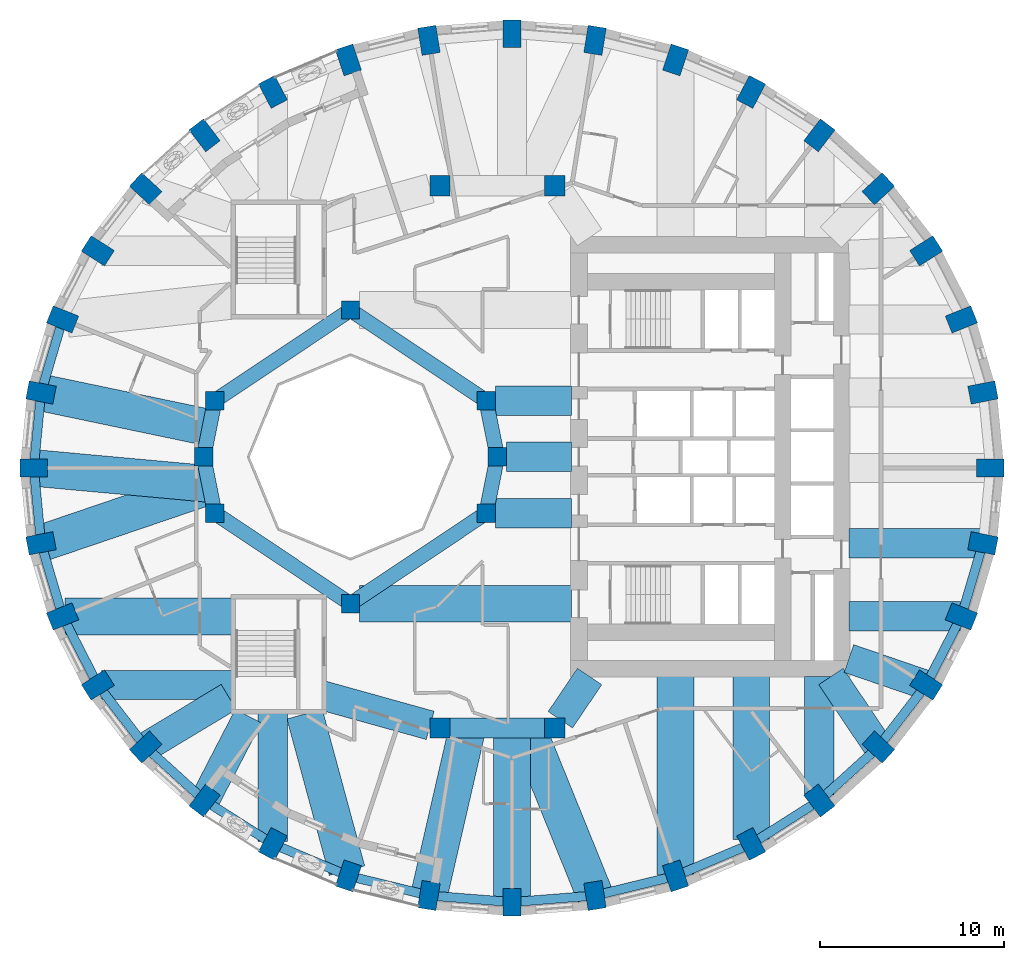
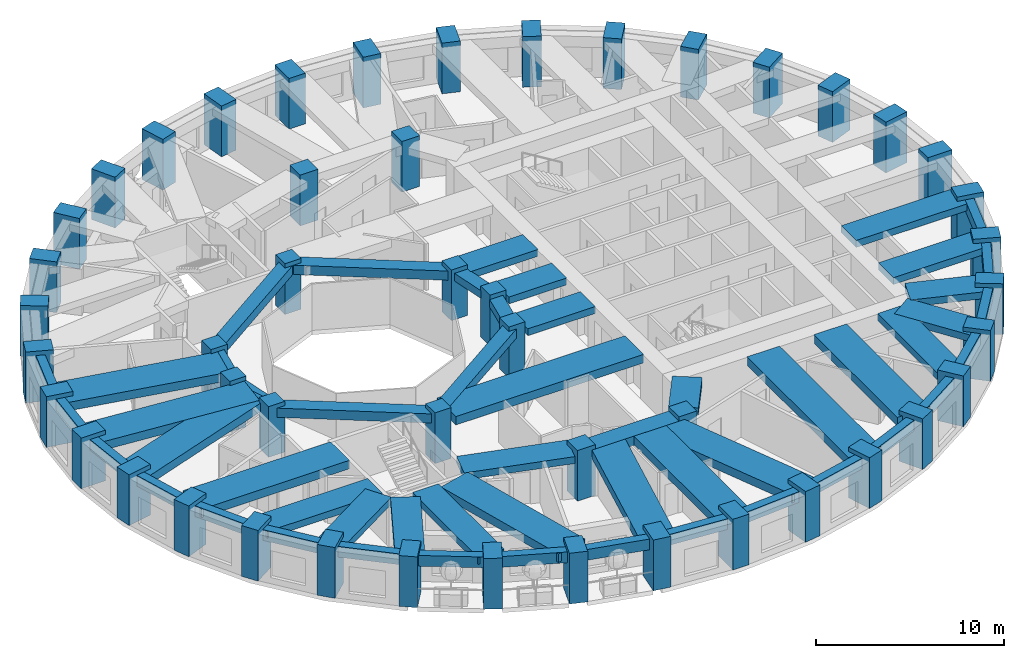
# One storey, part 1 of 12: 53 beams, 48 columns.
"""IFC4 building model written with IfcOpenShell, lengths in metres."""

from ifc_helpers import new_model, si_unit, direction, frame, origin, origin_2d, place, context, subcontext, project, spatial, rectangle, extrude, material, material_profile, profile_set, type_object, element, save


model = new_model("IFC4")

# Units and contexts
model_context = context("Model", 3, precision=1e-05, world=origin(), true_north=direction((0.0, 1.0)))
body_context = subcontext(model_context, "Body", "Model", "MODEL_VIEW")
ifc_project = project(units=[si_unit("LENGTHUNIT", "METRE"), si_unit("AREAUNIT", "SQUARE_METRE"), si_unit("VOLUMEUNIT", "CUBIC_METRE"), si_unit("PLANEANGLEUNIT", "RADIAN"), si_unit("MASSUNIT", "GRAM", prefix="KILO")], contexts=[model_context])

# Site, building, storey
site_placement = place(None, origin())
site = spatial("IfcSite", under=ifc_project, at=site_placement, CompositionType="ELEMENT")
building_placement = place(site_placement, origin())
building = spatial("IfcBuilding", under=site, at=building_placement, Name="Taillehof Tower", CompositionType="ELEMENT")
storey_placement = place(building_placement, frame((0.0, 0.0, 121.89990234375)))
storey = spatial("IfcBuildingStorey", under=building, at=storey_placement, Name="L34", CompositionType="ELEMENT", Elevation=121.89990234375)

# Columns
ifc_material_1 = material(Name="Concrete C50/60", Category="concrete")
ifc_material_profile_1 = material_profile(ifc_material_1, rectangle(XDim=1.0, YDim=1.0, at=origin_2d()), Name="RC 1000x1000")
ifc_profile_set_1 = profile_set([ifc_material_profile_1], Name="Concrete C50/60")
column_type_1 = type_object("IfcColumnType", Name="Atrium ring column C50/60 1000x1000", PredefinedType="COLUMN", material=ifc_profile_set_1)
for number, where, z_axis, x_axis, name in (
    (1, (0.0, 0.0, 0.0), (0.0, 0.0, 1.0), (1.0, 0.0, 0.0), "Column AC01"),
    (2, (-0.60888671875, 3.0615234375, 0.0), (0.0, 0.0, 1.0), (1.0, 0.0, 0.0), "Column AC02"),
    (3, (-8.0, 8.0, 0.0), (0.0, 0.0, 1.0), (1.0, 0.0, 0.0), "Column AC05"),
    (4, (-15.39111328125, 3.0615234375, 0.0), (0.0, 0.0, 1.0), (1.0, 0.0, 0.0), "Column AC08"),
    (5, (-16.0, 0.0, 0.0), (0.0, 0.0, 1.0), (1.0, 0.0, 0.0), "Column AC09"),
    (6, (-15.39111328125, -3.0615234375, 0.0), (0.0, 0.0, 1.0), (1.0, 0.0, 0.0), "Column AC10"),
    (7, (-8.0, -8.0, 0.0), (0.0, 0.0, 1.0), (1.0, 0.0, 0.0), "Column AC13"),
    (8, (-0.60888671875, -3.0615234375, 0.0), (0.0, 0.0, 1.0), (1.0, 0.0, 0.0), "Column AC16"),
):
    element("IfcColumn", number, at=place(storey_placement, frame(where, z_axis=z_axis, x_axis=x_axis)), inside=storey, type_object=column_type_1, Name=name, PredefinedType="COLUMN", context=body_context, shape_type="SweptSolid", body=[
        extrude(rectangle(XDim=1.0, YDim=1.0, at=origin_2d()), origin(), (0.0, 0.0, 1.0), 3.300048828125),
    ])
ifc_material_2 = material(Name="Concrete C50/60", Category="concrete")
ifc_material_profile_2 = material_profile(ifc_material_2, rectangle(XDim=1.10009765625, YDim=1.10009765625, at=origin_2d()), Name="RC 1100x1100")
ifc_profile_set_2 = profile_set([ifc_material_profile_2], Name="Concrete C50/60")
column_type_2 = type_object("IfcColumnType", Name="Mid-ring column C50/60 1100x1100", PredefinedType="COLUMN", material=ifc_profile_set_2)
for number, where, z_axis, x_axis, name in (
    (9, (3.125732421875, 14.772216796875, 0.0), (0.0, 0.0, 1.0), (1.0, 0.0, 0.0), "Column MC05"),
    (10, (-3.125732421875, 14.772216796875, 0.0), (0.0, 0.0, 1.0), (1.0, 0.0, 0.0), "Column MC06"),
    (11, (-3.125732421875, -14.772216796875, 0.0), (0.0, 0.0, 1.0), (1.0, 0.0, 0.0), "Column MC14"),
    (12, (3.125732421875, -14.772216796875, 0.0), (0.0, 0.0, 1.0), (1.0, 0.0, 0.0), "Column MC15"),
):
    element("IfcColumn", number, at=place(storey_placement, frame(where, z_axis=z_axis, x_axis=x_axis)), inside=storey, type_object=column_type_2, Name=name, PredefinedType="COLUMN", context=body_context, shape_type="SweptSolid", body=[
        extrude(rectangle(XDim=1.10009765625, YDim=1.10009765625, at=origin_2d()), origin(), (0.0, 0.0, 1.0), 3.300048828125),
    ])
ifc_material_3 = material(Name="Concrete C70/85", Category="concrete")
ifc_material_profile_3 = material_profile(ifc_material_3, rectangle(XDim=1.5, YDim=1.0, at=origin_2d()), Name="RC 1500x1000")
ifc_profile_set_3 = profile_set([ifc_material_profile_3], Name="Concrete C70/85")
column_type_3 = type_object("IfcColumnType", Name="Ring column C70/85 1500x1000", PredefinedType="COLUMN", material=ifc_profile_set_3)
for number, where, z_axis, x_axis, name in (
    (13, (26.85009765625, -0.60009765625, 0.0), (0.0, 0.0, 1.0), (1.0, 0.0, 0.0), "Ring column RC01"),
    (14, (26.454345703125, 3.5068359375, 0.0), (0.0, 0.0, 1.0), (0.981757466121, 0.190137523166, 0.0), "Ring column RC02"),
    (15, (25.279052734375, 7.48876953125, 0.0), (0.0, 0.0, 1.0), (0.928550110352, 0.371207075048, 0.0), "Ring column RC03"),
    (16, (23.35986328125, 11.22509765625, 0.0), (0.0, 0.0, 1.0), (0.844511454562, 0.535537489923, 0.0), "Ring column RC04"),
    (17, (20.75537109375, 14.60205078125, 0.0), (0.0, 0.0, 1.0), (0.735332034083, 0.677707016085, 0.0), "Ring column RC05"),
    (18, (17.544677734375, 17.516845703125, 0.0), (0.0, 0.0, 1.0), (0.607074228939, 0.794645128694, 0.0), "Ring column RC06"),
    (19, (13.824951171875, 19.881591796875, 0.0), (0.0, 0.0, 1.0), (0.465283017627, 0.885161970211, 0.0), "Ring column RC07"),
    (20, (9.709716796875, 21.623779296875, 0.0), (0.0, 0.0, 1.0), (0.314554972703, 0.949239258116, 0.0), "Ring column RC08"),
    (21, (5.323486328125, 22.690673828125, 0.0), (0.0, 0.0, 1.0), (0.158507038215, 0.987357847407, 0.0), "Ring column RC09"),
    (22, (0.800048828125, 23.050048828125, 0.0), (0.0, 0.0, 1.0), (0.0, 1.0, 0.0), "Ring column RC10"),
    (23, (-3.7236328125, 22.690673828125, 0.0), (0.0, 0.0, 1.0), (-0.158507038215, 0.987357847407, 0.0), "Ring column RC11"),
    (24, (-8.109619140625, 21.623779296875, 0.0), (0.0, 0.0, 1.0), (-0.314554972703, 0.949239258116, 0.0), "Ring column RC12"),
    (25, (-12.22509765625, 19.881591796875, 0.0), (0.0, 0.0, 1.0), (-0.465283017627, 0.885161970211, 0.0), "Ring column RC13"),
    (26, (-15.944580078125, 17.516845703125, 0.0), (0.0, 0.0, 1.0), (-0.607074228939, 0.794645128694, 0.0), "Ring column RC14"),
    (27, (-19.155517578125, 14.60205078125, 0.0), (0.0, 0.0, 1.0), (-0.735332034083, 0.677707016085, 0.0), "Ring column RC15"),
    (28, (-21.760009765625, 11.22509765625, 0.0), (0.0, 0.0, 1.0), (-0.844511454562, 0.535537489923, 0.0), "Ring column RC16"),
    (29, (-23.678955078125, 7.48876953125, 0.0), (0.0, 0.0, 1.0), (-0.928550110352, 0.371207075048, 0.0), "Ring column RC17"),
    (30, (-24.854248046875, 3.5068359375, 0.0), (0.0, 0.0, 1.0), (-0.981757466121, 0.190137523166, 0.0), "Ring column RC18"),
    (31, (-25.25, -0.60009765625, 0.0), (0.0, 0.0, 1.0), (-1.0, 0.0, 0.0), "Ring column RC19"),
    (32, (-24.854248046875, -4.706787109375, 0.0), (0.0, 0.0, 1.0), (-0.981757466121, -0.190137523166, 0.0), "Ring column RC20"),
    (33, (-23.678955078125, -8.688720703125, 0.0), (0.0, 0.0, 1.0), (-0.928550110352, -0.371207075048, 0.0), "Ring column RC21"),
    (34, (-21.760009765625, -12.425048828125, 0.0), (0.0, 0.0, 1.0), (-0.844511454562, -0.535537489923, 0.0), "Ring column RC22"),
    (35, (-19.155517578125, -15.802001953125, 0.0), (0.0, 0.0, 1.0), (-0.735332034083, -0.677707016085, 0.0), "Ring column RC23"),
    (36, (-15.944580078125, -18.717041015625, 0.0), (0.0, 0.0, 1.0), (-0.607074228939, -0.794645128694, 0.0), "Ring column RC24"),
    (37, (-12.22509765625, -21.08154296875, 0.0), (0.0, 0.0, 1.0), (-0.465283017627, -0.885161970211, 0.0), "Ring column RC25"),
    (38, (-8.109619140625, -22.82373046875, 0.0), (0.0, 0.0, 1.0), (-0.314554972703, -0.949239258116, 0.0), "Ring column RC26"),
    (39, (-3.7236328125, -23.890625, 0.0), (0.0, 0.0, 1.0), (-0.158507038215, -0.987357847407, 0.0), "Ring column RC27"),
    (40, (0.800048828125, -24.25, 0.0), (0.0, 0.0, 1.0), (0.0, -1.0, 0.0), "Ring column RC28"),
    (41, (5.323486328125, -23.890625, 0.0), (0.0, 0.0, 1.0), (0.158507038215, -0.987357847407, 0.0), "Ring column RC29"),
    (42, (9.709716796875, -22.82373046875, 0.0), (0.0, 0.0, 1.0), (0.314554972703, -0.949239258116, 0.0), "Ring column RC30"),
    (43, (13.824951171875, -21.08154296875, 0.0), (0.0, 0.0, 1.0), (0.465283017627, -0.885161970211, 0.0), "Ring column RC31"),
    (44, (17.544677734375, -18.717041015625, 0.0), (0.0, 0.0, 1.0), (0.607074228939, -0.794645128694, 0.0), "Ring column RC32"),
    (45, (20.75537109375, -15.802001953125, 0.0), (0.0, 0.0, 1.0), (0.735332034083, -0.677707016085, 0.0), "Ring column RC33"),
    (46, (23.35986328125, -12.425048828125, 0.0), (0.0, 0.0, 1.0), (0.844511454562, -0.535537489923, 0.0), "Ring column RC34"),
    (47, (25.279052734375, -8.688720703125, 0.0), (0.0, 0.0, 1.0), (0.928550110352, -0.371207075048, 0.0), "Ring column RC35"),
    (48, (26.454345703125, -4.706787109375, 0.0), (0.0, 0.0, 1.0), (0.981757466121, -0.190137523166, 0.0), "Ring column RC36"),
):
    element("IfcColumn", number, at=place(storey_placement, frame(where, z_axis=z_axis, x_axis=x_axis)), inside=storey, type_object=column_type_3, Name=name, PredefinedType="COLUMN", context=body_context, shape_type="SweptSolid", body=[
        extrude(rectangle(XDim=1.5, YDim=1.0, at=origin_2d()), origin(), (0.0, 0.0, 1.0), 3.300048828125),
    ])

# Beams
ifc_material_4 = material(Name="Concrete C50/60", Category="concrete")
ifc_material_profile_4 = material_profile(ifc_material_4, rectangle(XDim=0.800048828125, YDim=0.5, at=origin_2d()), Name="RC 800x500")
ifc_profile_set_4 = profile_set([ifc_material_profile_4], Name="Concrete C50/60")
beam_type_1 = type_object("IfcBeamType", Name="Atrium ring beam C50/60 800x500", PredefinedType="BEAM", material=ifc_profile_set_4)
for number, where, z_axis, x_axis, name in (
    (49, (0.0, 0.0, 2.77001953125), (-0.195063155143, 0.980790683839, 0.0), (-0.980790683839, -0.195063155143, 0.0), "Atrium ring beam AB01"),
    (50, (-15.39111328125, 3.0615234375, 2.77001953125), (-0.195063155143, -0.980790683839, 0.0), (0.980790683839, -0.195063155143, 0.0), "Atrium ring beam AB04"),
    (51, (-16.0, 0.0, 2.77001953125), (0.195063155143, -0.980790683839, 0.0), (0.980790683839, 0.195063155143, 0.0), "Atrium ring beam AB05"),
    (52, (-0.60888671875, -3.0615234375, 2.77001953125), (0.195063155143, 0.980790683839, 0.0), (-0.980790683839, 0.195063155143, 0.0), "Atrium ring beam AB08"),
):
    element("IfcBeam", number, at=place(storey_placement, frame(where, z_axis=z_axis, x_axis=x_axis)), inside=storey, type_object=beam_type_1, Name=name, PredefinedType="BEAM", context=body_context, shape_type="SweptSolid", body=[
        extrude(rectangle(XDim=0.800048828125, YDim=0.5, at=origin_2d()), origin(), (0.0, 0.0, 1.0), 3.12158203125),
    ])
ifc_material_5 = material(Name="Concrete C50/60", Category="concrete")
ifc_material_profile_5 = material_profile(ifc_material_5, rectangle(XDim=0.800048828125, YDim=0.60009765625, at=origin_2d()), Name="RC 800x600")
ifc_profile_set_5 = profile_set([ifc_material_profile_5], Name="Concrete C50/60")
beam_type_2 = type_object("IfcBeamType", Name="Atrium ring beam C50/60 800x600", PredefinedType="BEAM", material=ifc_profile_set_5)
for number, where, z_axis, x_axis, name in (
    (53, (-0.60888671875, 3.0615234375, 2.72021484375), (-0.831475195687, 0.555561876804, 0.0), (-0.555561876804, -0.831475195687, 0.0), "Atrium ring beam AB02"),
    (54, (-8.0, 8.0, 2.72021484375), (-0.831475195687, -0.555561876804, 0.0), (0.555561876804, -0.831475195687, 0.0), "Atrium ring beam AB03"),
    (55, (-15.39111328125, -3.0615234375, 2.72021484375), (0.831475195687, -0.555561876804, 0.0), (0.555561876804, 0.831475195687, 0.0), "Atrium ring beam AB06"),
    (56, (-8.0, -8.0, 2.72021484375), (0.831475195687, 0.555561876804, 0.0), (-0.555561876804, 0.831475195687, 0.0), "Atrium ring beam AB07"),
):
    element("IfcBeam", number, at=place(storey_placement, frame(where, z_axis=z_axis, x_axis=x_axis)), inside=storey, type_object=beam_type_2, Name=name, PredefinedType="BEAM", context=body_context, shape_type="SweptSolid", body=[
        extrude(rectangle(XDim=0.800048828125, YDim=0.60009765625, at=origin_2d()), origin(), (0.0, 0.0, 1.0), 8.88916015625),
    ])
ifc_material_6 = material(Name="Concrete C50/60", Category="concrete")
ifc_material_profile_6 = material_profile(ifc_material_6, rectangle(XDim=1.10009765625, YDim=0.60009765625, at=origin_2d()), Name="RC 1100x600")
ifc_profile_set_6 = profile_set([ifc_material_profile_6], Name="Concrete C50/60")
beam_type_3 = type_object("IfcBeamType", Name="Mid-ring beam C50/60 1100x600", PredefinedType="BEAM", material=ifc_profile_set_6)
beam_1_placement = place(storey_placement, frame((-3.125732421875, -14.772216796875, 2.72021484375), z_axis=(1.0, 0.0, 0.0), x_axis=(0.0, 1.0, 0.0)))
element("IfcBeam", 57, at=beam_1_placement, inside=storey, type_object=beam_type_3, Name="Mid-ring beam MB02", PredefinedType="BEAM", context=body_context, shape_type="SweptSolid", body=[
    extrude(rectangle(XDim=1.10009765625, YDim=0.60009765625, at=origin_2d()), origin(), (0.0, 0.0, 1.0), 6.25146484375),
])
ifc_material_7 = material(Name="Concrete C50/60", Category="concrete")
ifc_material_profile_7 = material_profile(ifc_material_7, rectangle(XDim=1.60009765625, YDim=0.449951171875, at=origin_2d()), Name="RC 1600x450")
ifc_profile_set_7 = profile_set([ifc_material_profile_7], Name="Concrete C50/60")
beam_type_4 = type_object("IfcBeamType", Name="Radial band beam C50/60 1600x450", PredefinedType="BEAM", material=ifc_profile_set_7)
beam_2_placement = place(storey_placement, frame((-21.54736328125, -12.425048828125, 2.795166015625), z_axis=(1.0, 0.0, 0.0), x_axis=(0.0, 1.0, 0.0)))
element("IfcBeam", 58, at=beam_2_placement, inside=storey, type_object=beam_type_4, Name="Radial band beam RB22", PredefinedType="BEAM", context=body_context, shape_type="SweptSolid", body=[
    extrude(rectangle(XDim=1.60009765625, YDim=0.449951171875, at=origin_2d()), origin(), (0.0, 0.0, 1.0), 7.097412109375),
])
beam_3_placement = place(storey_placement, frame((-19.155517578125, -15.802001953125, 2.795166015625), z_axis=(0.856794973818, 0.515657224171, 0.0), x_axis=(-0.515657224171, 0.856794973818, 0.0)))
element("IfcBeam", 59, at=beam_3_placement, inside=storey, type_object=beam_type_4, Name="Radial band beam RB23", PredefinedType="BEAM", context=body_context, shape_type="SweptSolid", body=[
    extrude(rectangle(XDim=1.60009765625, YDim=0.449951171875, at=origin_2d()), origin(), (0.0, 0.0, 1.0), 5.28369140625),
])
beam_4_placement = place(storey_placement, frame((-15.944580078125, -18.717041015625, 2.795166015625), z_axis=(0.460119038647, 0.8878572353, 0.0), x_axis=(-0.8878572353, 0.460119038647, 0.0)))
element("IfcBeam", 60, at=beam_4_placement, inside=storey, type_object=beam_type_4, Name="Radial band beam RB24", PredefinedType="BEAM", context=body_context, shape_type="SweptSolid", body=[
    extrude(rectangle(XDim=1.60009765625, YDim=0.449951171875, at=origin_2d()), origin(), (0.0, 0.0, 1.0), 5.1796875),
])
beam_5_placement = place(storey_placement, frame((-12.22509765625, -20.9443359375, 2.795166015625), z_axis=(0.0, 1.0, 0.0), x_axis=(-1.0, 0.0, 0.0)))
element("IfcBeam", 61, at=beam_5_placement, inside=storey, type_object=beam_type_4, Name="Radial band beam RB25", PredefinedType="BEAM", context=body_context, shape_type="SweptSolid", body=[
    extrude(rectangle(XDim=1.60009765625, YDim=0.449951171875, at=origin_2d()), origin(), (0.0, 0.0, 1.0), 6.994384765625),
])
beam_6_placement = place(storey_placement, frame((17.544677734375, -18.421875, 2.795166015625), z_axis=(0.0, 1.0, 0.0), x_axis=(-1.0, 0.0, 0.0)))
element("IfcBeam", 62, at=beam_6_placement, inside=storey, type_object=beam_type_4, Name="Radial band beam RB32", PredefinedType="BEAM", context=body_context, shape_type="SweptSolid", body=[
    extrude(rectangle(XDim=1.60009765625, YDim=0.449951171875, at=origin_2d()), origin(), (0.0, 0.0, 1.0), 6.471923828125),
])
beam_7_placement = place(storey_placement, frame((20.75537109375, -15.802001953125, 2.795166015625), z_axis=(-0.557822939952, 0.829959979555, 0.0), x_axis=(-0.829959979555, -0.557822939952, 0.0)))
element("IfcBeam", 63, at=beam_7_placement, inside=storey, type_object=beam_type_4, Name="Radial band beam RB33", PredefinedType="BEAM", context=body_context, shape_type="SweptSolid", body=[
    extrude(rectangle(XDim=1.60009765625, YDim=0.449951171875, at=origin_2d()), origin(), (0.0, 0.0, 1.0), 4.630859375),
])
beam_8_placement = place(storey_placement, frame((23.35986328125, -12.425048828125, 2.795166015625), z_axis=(-0.946037817118, 0.324056242932, 0.0), x_axis=(-0.324056242932, -0.946037817118, 0.0)))
element("IfcBeam", 64, at=beam_8_placement, inside=storey, type_object=beam_type_4, Name="Radial band beam RB34", PredefinedType="BEAM", context=body_context, shape_type="SweptSolid", body=[
    extrude(rectangle(XDim=1.60009765625, YDim=0.449951171875, at=origin_2d()), origin(), (0.0, 0.0, 1.0), 4.447265625),
])
beam_9_placement = place(storey_placement, frame((25.2275390625, -8.688720703125, 2.795166015625), z_axis=(-1.0, 0.0, 0.0), x_axis=(0.0, -1.0, 0.0)))
element("IfcBeam", 65, at=beam_9_placement, inside=storey, type_object=beam_type_4, Name="Radial band beam RB35", PredefinedType="BEAM", context=body_context, shape_type="SweptSolid", body=[
    extrude(rectangle(XDim=1.60009765625, YDim=0.449951171875, at=origin_2d()), origin(), (0.0, 0.0, 1.0), 6.07763671875),
])
beam_10_placement = place(storey_placement, frame((26.454345703125, -4.706787109375, 2.795166015625), z_axis=(-1.0, 0.0, 0.0), x_axis=(0.0, -1.0, 0.0)))
element("IfcBeam", 66, at=beam_10_placement, inside=storey, type_object=beam_type_4, Name="Radial band beam RB36", PredefinedType="BEAM", context=body_context, shape_type="SweptSolid", body=[
    extrude(rectangle(XDim=1.60009765625, YDim=0.449951171875, at=origin_2d()), origin(), (0.0, 0.0, 1.0), 7.304443359375),
])
beam_11_placement = place(storey_placement, frame((0.5, 0.0, 2.795166015625), z_axis=(1.0, 0.0, 0.0), x_axis=(0.0, 1.0, 0.0)))
element("IfcBeam", 67, at=beam_11_placement, inside=storey, type_object=beam_type_4, Name="Inner band beam IB101", PredefinedType="BEAM", context=body_context, shape_type="SweptSolid", body=[
    extrude(rectangle(XDim=1.60009765625, YDim=0.449951171875, at=origin_2d()), origin(), (0.0, 0.0, 1.0), 3.550048828125),
])
for number, where, z_axis, x_axis, name in (
    (68, (-0.10888671875, 3.0615234375, 2.795166015625), (1.0, 0.0, 0.0), (0.0, 1.0, 0.0), "Inner band beam IB102"),
    (69, (-0.10888671875, -3.0615234375, 2.795166015625), (1.0, 0.0, 0.0), (0.0, 1.0, 0.0), "Inner band beam IB116"),
):
    element("IfcBeam", number, at=place(storey_placement, frame(where, z_axis=z_axis, x_axis=x_axis)), inside=storey, type_object=beam_type_4, Name=name, PredefinedType="BEAM", context=body_context, shape_type="SweptSolid", body=[
        extrude(rectangle(XDim=1.60009765625, YDim=0.449951171875, at=origin_2d()), origin(), (0.0, 0.0, 1.0), 4.158935546875),
    ])
beam_12_placement = place(storey_placement, frame((-3.655517578125, -14.624755859375, 2.795166015625), z_axis=(-0.963459369536, 0.267854518821, 0.0), x_axis=(-0.267854518821, -0.963459369536, 0.0)))
element("IfcBeam", 70, at=beam_12_placement, inside=storey, type_object=beam_type_4, Name="Inner band beam IB214", PredefinedType="BEAM", context=body_context, shape_type="SweptSolid", body=[
    extrude(rectangle(XDim=1.60009765625, YDim=0.449951171875, at=origin_2d()), origin(), (0.0, 0.0, 1.0), 6.096923828125),
])
beam_13_placement = place(storey_placement, frame((3.433837890625, -14.31640625, 2.795166015625), z_axis=(0.560112043398, 0.828416862962, 0.0), x_axis=(-0.828416862962, 0.560112043398, 0.0)))
element("IfcBeam", 71, at=beam_13_placement, inside=storey, type_object=beam_type_4, Name="Inner band beam IB215", PredefinedType="BEAM", context=body_context, shape_type="SweptSolid", body=[
    extrude(rectangle(XDim=1.60009765625, YDim=0.449951171875, at=origin_2d()), origin(), (0.0, 0.0, 1.0), 2.84619140625),
])
ifc_material_8 = material(Name="Concrete C50/60", Category="concrete")
ifc_material_profile_8 = material_profile(ifc_material_8, rectangle(XDim=2.0, YDim=0.550048828125, at=origin_2d()), Name="RC 2000x550")
ifc_profile_set_8 = profile_set([ifc_material_profile_8], Name="Concrete C50/60")
beam_type_5 = type_object("IfcBeamType", Name="Radial band beam C50/60 2000x550", PredefinedType="BEAM", material=ifc_profile_set_8)
beam_14_placement = place(storey_placement, frame((-24.854248046875, 3.5068359375, 2.7451171875), z_axis=(0.978853404319, -0.204562980164, 0.0), x_axis=(0.204562980164, 0.978853404319, 0.0)))
element("IfcBeam", 72, at=beam_14_placement, inside=storey, type_object=beam_type_5, Name="Radial band beam RB18", PredefinedType="BEAM", context=body_context, shape_type="SweptSolid", body=[
    extrude(rectangle(XDim=2.0, YDim=0.550048828125, at=origin_2d()), origin(), (0.0, 0.0, 1.0), 9.36865234375),
])
beam_15_placement = place(storey_placement, frame((-25.25, -0.60009765625, 2.7451171875), z_axis=(0.995859515154, -0.090905588816, 0.0), x_axis=(0.090905588816, 0.995859515154, 0.0)))
element("IfcBeam", 73, at=beam_15_placement, inside=storey, type_object=beam_type_5, Name="Radial band beam RB19", PredefinedType="BEAM", context=body_context, shape_type="SweptSolid", body=[
    extrude(rectangle(XDim=2.0, YDim=0.550048828125, at=origin_2d()), origin(), (0.0, 0.0, 1.0), 9.58251953125),
])
beam_16_placement = place(storey_placement, frame((-24.854248046875, -4.706787109375, 2.7451171875), z_axis=(0.946822052625, 0.321757673822, 0.0), x_axis=(-0.321757673822, 0.946822052625, 0.0)))
element("IfcBeam", 74, at=beam_16_placement, inside=storey, type_object=beam_type_5, Name="Radial band beam RB20", PredefinedType="BEAM", context=body_context, shape_type="SweptSolid", body=[
    extrude(rectangle(XDim=2.0, YDim=0.550048828125, at=origin_2d()), origin(), (0.0, 0.0, 1.0), 9.685791015625),
])
beam_17_placement = place(storey_placement, frame((-23.54736328125, -8.688720703125, 2.7451171875), z_axis=(1.0, 0.0, 0.0), x_axis=(0.0, 1.0, 0.0)))
element("IfcBeam", 75, at=beam_17_placement, inside=storey, type_object=beam_type_5, Name="Radial band beam RB21", PredefinedType="BEAM", context=body_context, shape_type="SweptSolid", body=[
    extrude(rectangle(XDim=2.0, YDim=0.550048828125, at=origin_2d()), origin(), (0.0, 0.0, 1.0), 9.097412109375),
])
beam_18_placement = place(storey_placement, frame((-8.186767578125, -22.539306640625, 2.7451171875), z_axis=(-0.261461600872, 0.965213878511, 0.0), x_axis=(-0.965213878511, -0.261461600872, 0.0)))
element("IfcBeam", 76, at=beam_18_placement, inside=storey, type_object=beam_type_5, Name="Radial band beam RB26", PredefinedType="BEAM", context=body_context, shape_type="SweptSolid", body=[
    extrude(rectangle(XDim=2.0, YDim=0.550048828125, at=origin_2d()), origin(), (0.0, 0.0, 1.0), 8.835205078125),
])
beam_19_placement = place(storey_placement, frame((-3.7236328125, -23.890625, 2.7451171875), z_axis=(0.224215346781, 0.974539623755, 0.0), x_axis=(-0.974539623755, 0.224215346781, 0.0)))
element("IfcBeam", 77, at=beam_19_placement, inside=storey, type_object=beam_type_5, Name="Radial band beam RB27", PredefinedType="BEAM", context=body_context, shape_type="SweptSolid", body=[
    extrude(rectangle(XDim=2.0, YDim=0.550048828125, at=origin_2d()), origin(), (0.0, 0.0, 1.0), 9.356689453125),
])
beam_20_placement = place(storey_placement, frame((0.800048828125, -24.25, 2.7451171875), z_axis=(0.0, 1.0, 0.0), x_axis=(-1.0, 0.0, 0.0)))
element("IfcBeam", 78, at=beam_20_placement, inside=storey, type_object=beam_type_5, Name="Radial band beam RB28", PredefinedType="BEAM", context=body_context, shape_type="SweptSolid", body=[
    extrude(rectangle(XDim=2.0, YDim=0.550048828125, at=origin_2d()), origin(), (0.0, 0.0, 1.0), 9.477783203125),
])
beam_21_placement = place(storey_placement, frame((5.323486328125, -23.890625, 2.7451171875), z_axis=(-0.375801287916, 0.926700270854, 0.0), x_axis=(-0.926700270854, -0.375801287916, 0.0)))
element("IfcBeam", 79, at=beam_21_placement, inside=storey, type_object=beam_type_5, Name="Radial band beam RB29", PredefinedType="BEAM", context=body_context, shape_type="SweptSolid", body=[
    extrude(rectangle(XDim=2.0, YDim=0.550048828125, at=origin_2d()), origin(), (0.0, 0.0, 1.0), 9.839599609375),
])
beam_22_placement = place(storey_placement, frame((9.709716796875, -22.756591796875, 2.7451171875), z_axis=(0.0, 1.0, 0.0), x_axis=(-1.0, 0.0, 0.0)))
element("IfcBeam", 80, at=beam_22_placement, inside=storey, type_object=beam_type_5, Name="Radial band beam RB30", PredefinedType="BEAM", context=body_context, shape_type="SweptSolid", body=[
    extrude(rectangle(XDim=2.0, YDim=0.550048828125, at=origin_2d()), origin(), (0.0, 0.0, 1.0), 10.806640625),
])
beam_23_placement = place(storey_placement, frame((13.824951171875, -20.839599609375, 2.7451171875), z_axis=(0.0, 1.0, 0.0), x_axis=(-1.0, 0.0, 0.0)))
element("IfcBeam", 81, at=beam_23_placement, inside=storey, type_object=beam_type_5, Name="Radial band beam RB31", PredefinedType="BEAM", context=body_context, shape_type="SweptSolid", body=[
    extrude(rectangle(XDim=2.0, YDim=0.550048828125, at=origin_2d()), origin(), (0.0, 0.0, 1.0), 8.8896484375),
])
beam_24_placement = place(storey_placement, frame((-7.5, -8.0, 2.7451171875), z_axis=(1.0, 0.0, 0.0), x_axis=(0.0, 1.0, 0.0)))
element("IfcBeam", 82, at=beam_24_placement, inside=storey, type_object=beam_type_5, Name="Inner band beam IB113", PredefinedType="BEAM", context=body_context, shape_type="SweptSolid", body=[
    extrude(rectangle(XDim=2.0, YDim=0.550048828125, at=origin_2d()), origin(), (0.0, 0.0, 1.0), 11.550048828125),
])
ifc_material_9 = material(Name="Concrete C50/60", Category="concrete")
ifc_material_profile_9 = material_profile(ifc_material_9, rectangle(XDim=0.5, YDim=0.699951171875, at=origin_2d()), Name="RC 500x700")
ifc_profile_set_9 = profile_set([ifc_material_profile_9], Name="Concrete C50/60")
beam_type_6 = type_object("IfcBeamType", Name="Spandrel beam C50/60 500x700", PredefinedType="SPANDREL", material=ifc_profile_set_9)
beam_25_placement = place(storey_placement, frame((-23.678955078125, 7.48876953125, 2.670166015625), z_axis=(-0.28308309012, -0.95909538842, 0.0), x_axis=(0.95909538842, -0.28308309012, 0.0)))
element("IfcBeam", 83, at=beam_25_placement, inside=storey, type_object=beam_type_6, Name="Spandrel beam SB17", PredefinedType="SPANDREL", context=body_context, shape_type="SweptSolid", body=[
    extrude(rectangle(XDim=0.5, YDim=0.699951171875, at=origin_2d()), origin(), (0.0, 0.0, 1.0), 4.15185546875),
])
beam_26_placement = place(storey_placement, frame((-24.854248046875, 3.5068359375, 2.670166015625), z_axis=(-0.095917608943, -0.995389276763, 0.0), x_axis=(0.995389276763, -0.095917608943, 0.0)))
element("IfcBeam", 84, at=beam_26_placement, inside=storey, type_object=beam_type_6, Name="Spandrel beam SB18", PredefinedType="SPANDREL", context=body_context, shape_type="SweptSolid", body=[
    extrude(rectangle(XDim=0.5, YDim=0.699951171875, at=origin_2d()), origin(), (0.0, 0.0, 1.0), 4.1259765625),
])
beam_27_placement = place(storey_placement, frame((-25.25, -0.60009765625, 2.670166015625), z_axis=(0.09592325873, -0.995388732323, 0.0), x_axis=(0.995388732323, 0.09592325873, 0.0)))
element("IfcBeam", 85, at=beam_27_placement, inside=storey, type_object=beam_type_6, Name="Spandrel beam SB19", PredefinedType="SPANDREL", context=body_context, shape_type="SweptSolid", body=[
    extrude(rectangle(XDim=0.5, YDim=0.699951171875, at=origin_2d()), origin(), (0.0, 0.0, 1.0), 4.125732421875),
])
beam_28_placement = place(storey_placement, frame((-24.854248046875, -4.706787109375, 2.670166015625), z_axis=(0.28308309012, -0.95909538842, 0.0), x_axis=(0.95909538842, 0.28308309012, 0.0)))
element("IfcBeam", 86, at=beam_28_placement, inside=storey, type_object=beam_type_6, Name="Spandrel beam SB20", PredefinedType="SPANDREL", context=body_context, shape_type="SweptSolid", body=[
    extrude(rectangle(XDim=0.5, YDim=0.699951171875, at=origin_2d()), origin(), (0.0, 0.0, 1.0), 4.15185546875),
])
beam_29_placement = place(storey_placement, frame((-23.678955078125, -8.688720703125, 2.670166015625), z_axis=(0.456859381733, -0.889538928503, 0.0), x_axis=(0.889538928503, 0.456859381733, 0.0)))
element("IfcBeam", 87, at=beam_29_placement, inside=storey, type_object=beam_type_6, Name="Spandrel beam SB21", PredefinedType="SPANDREL", context=body_context, shape_type="SweptSolid", body=[
    extrude(rectangle(XDim=0.5, YDim=0.699951171875, at=origin_2d()), origin(), (0.0, 0.0, 1.0), 4.2001953125),
])
beam_30_placement = place(storey_placement, frame((-21.760009765625, -12.425048828125, 2.670166015625), z_axis=(0.61071731561, -0.79184869793, 0.0), x_axis=(0.79184869793, 0.61071731561, 0.0)))
element("IfcBeam", 88, at=beam_30_placement, inside=storey, type_object=beam_type_6, Name="Spandrel beam SB22", PredefinedType="SPANDREL", context=body_context, shape_type="SweptSolid", body=[
    extrude(rectangle(XDim=0.5, YDim=0.699951171875, at=origin_2d()), origin(), (0.0, 0.0, 1.0), 4.2646484375),
])
beam_31_placement = place(storey_placement, frame((-19.155517578125, -15.802001953125, 2.670166015625), z_axis=(0.740398416885, -0.672168270803, 0.0), x_axis=(0.672168270803, 0.740398416885, 0.0)))
element("IfcBeam", 89, at=beam_31_placement, inside=storey, type_object=beam_type_6, Name="Spandrel beam SB23", PredefinedType="SPANDREL", context=body_context, shape_type="SweptSolid", body=[
    extrude(rectangle(XDim=0.5, YDim=0.699951171875, at=origin_2d()), origin(), (0.0, 0.0, 1.0), 4.336669921875),
])
beam_32_placement = place(storey_placement, frame((-15.944580078125, -18.717041015625, 2.670166015625), z_axis=(0.843912293293, -0.536481165773, 0.0), x_axis=(0.536481165773, 0.843912293293, 0.0)))
element("IfcBeam", 90, at=beam_32_placement, inside=storey, type_object=beam_type_6, Name="Spandrel beam SB24", PredefinedType="SPANDREL", context=body_context, shape_type="SweptSolid", body=[
    extrude(rectangle(XDim=0.5, YDim=0.699951171875, at=origin_2d()), origin(), (0.0, 0.0, 1.0), 4.407470703125),
])
beam_33_placement = place(storey_placement, frame((-12.22509765625, -21.08154296875, 2.670166015625), z_axis=(0.920885046825, -0.389834234688, 0.0), x_axis=(0.389834234688, 0.920885046825, 0.0)))
element("IfcBeam", 91, at=beam_33_placement, inside=storey, type_object=beam_type_6, Name="Spandrel beam SB25", PredefinedType="SPANDREL", context=body_context, shape_type="SweptSolid", body=[
    extrude(rectangle(XDim=0.5, YDim=0.699951171875, at=origin_2d()), origin(), (0.0, 0.0, 1.0), 4.468994140625),
])
beam_34_placement = place(storey_placement, frame((-8.109619140625, -22.82373046875, 2.670166015625), z_axis=(0.971665924588, -0.236358479847, 0.0), x_axis=(0.236358479847, 0.971665924588, 0.0)))
element("IfcBeam", 92, at=beam_34_placement, inside=storey, type_object=beam_type_6, Name="Spandrel beam SB26", PredefinedType="SPANDREL", context=body_context, shape_type="SweptSolid", body=[
    extrude(rectangle(XDim=0.5, YDim=0.699951171875, at=origin_2d()), origin(), (0.0, 0.0, 1.0), 4.513916015625),
])
beam_35_placement = place(storey_placement, frame((-3.7236328125, -23.890625, 2.670166015625), z_axis=(0.996859260648, -0.079193525375, 0.0), x_axis=(0.079193525375, 0.996859260648, 0.0)))
element("IfcBeam", 93, at=beam_35_placement, inside=storey, type_object=beam_type_6, Name="Spandrel beam SB27", PredefinedType="SPANDREL", context=body_context, shape_type="SweptSolid", body=[
    extrude(rectangle(XDim=0.5, YDim=0.699951171875, at=origin_2d()), origin(), (0.0, 0.0, 1.0), 4.537841796875),
])
beam_36_placement = place(storey_placement, frame((0.800048828125, -24.25, 2.670166015625), z_axis=(0.996858923208, 0.079197772828, 0.0), x_axis=(-0.079197772828, 0.996858923208, 0.0)))
element("IfcBeam", 94, at=beam_36_placement, inside=storey, type_object=beam_type_6, Name="Spandrel beam SB28", PredefinedType="SPANDREL", context=body_context, shape_type="SweptSolid", body=[
    extrude(rectangle(XDim=0.5, YDim=0.699951171875, at=origin_2d()), origin(), (0.0, 0.0, 1.0), 4.53759765625),
])
beam_37_placement = place(storey_placement, frame((5.323486328125, -23.890625, 2.670166015625), z_axis=(0.971668945916, 0.23634605887, 0.0), x_axis=(-0.23634605887, 0.971668945916, 0.0)))
element("IfcBeam", 95, at=beam_37_placement, inside=storey, type_object=beam_type_6, Name="Spandrel beam SB29", PredefinedType="SPANDREL", context=body_context, shape_type="SweptSolid", body=[
    extrude(rectangle(XDim=0.5, YDim=0.699951171875, at=origin_2d()), origin(), (0.0, 0.0, 1.0), 4.51416015625),
])
beam_38_placement = place(storey_placement, frame((9.709716796875, -22.82373046875, 2.670166015625), z_axis=(0.920876744153, 0.389853847074, 0.0), x_axis=(-0.389853847074, 0.920876744153, 0.0)))
element("IfcBeam", 96, at=beam_38_placement, inside=storey, type_object=beam_type_6, Name="Spandrel beam SB30", PredefinedType="SPANDREL", context=body_context, shape_type="SweptSolid", body=[
    extrude(rectangle(XDim=0.5, YDim=0.699951171875, at=origin_2d()), origin(), (0.0, 0.0, 1.0), 4.46875),
])
beam_39_placement = place(storey_placement, frame((13.824951171875, -21.08154296875, 2.670166015625), z_axis=(0.843928234947, 0.536456087914, 0.0), x_axis=(-0.536456087914, 0.843928234947, 0.0)))
element("IfcBeam", 97, at=beam_39_placement, inside=storey, type_object=beam_type_6, Name="Spandrel beam SB31", PredefinedType="SPANDREL", context=body_context, shape_type="SweptSolid", body=[
    extrude(rectangle(XDim=0.5, YDim=0.699951171875, at=origin_2d()), origin(), (0.0, 0.0, 1.0), 4.40771484375),
])
beam_40_placement = place(storey_placement, frame((17.544677734375, -18.717041015625, 2.670166015625), z_axis=(0.740372980414, 0.672196288202, 0.0), x_axis=(-0.672196288202, 0.740372980414, 0.0)))
element("IfcBeam", 98, at=beam_40_placement, inside=storey, type_object=beam_type_6, Name="Spandrel beam SB32", PredefinedType="SPANDREL", context=body_context, shape_type="SweptSolid", body=[
    extrude(rectangle(XDim=0.5, YDim=0.699951171875, at=origin_2d()), origin(), (0.0, 0.0, 1.0), 4.336669921875),
])
beam_41_placement = place(storey_placement, frame((20.75537109375, -15.802001953125, 2.670166015625), z_axis=(0.61071731561, 0.79184869793, 0.0), x_axis=(-0.79184869793, 0.61071731561, 0.0)))
element("IfcBeam", 99, at=beam_41_placement, inside=storey, type_object=beam_type_6, Name="Spandrel beam SB33", PredefinedType="SPANDREL", context=body_context, shape_type="SweptSolid", body=[
    extrude(rectangle(XDim=0.5, YDim=0.699951171875, at=origin_2d()), origin(), (0.0, 0.0, 1.0), 4.2646484375),
])
beam_42_placement = place(storey_placement, frame((23.35986328125, -12.425048828125, 2.670166015625), z_axis=(0.456905372708, 0.88951530644, 0.0), x_axis=(-0.88951530644, 0.456905372708, 0.0)))
element("IfcBeam", 100, at=beam_42_placement, inside=storey, type_object=beam_type_6, Name="Spandrel beam SB34", PredefinedType="SPANDREL", context=body_context, shape_type="SweptSolid", body=[
    extrude(rectangle(XDim=0.5, YDim=0.699951171875, at=origin_2d()), origin(), (0.0, 0.0, 1.0), 4.200439453125),
])
beam_43_placement = place(storey_placement, frame((25.279052734375, -8.688720703125, 2.670166015625), z_axis=(0.28308309012, 0.95909538842, 0.0), x_axis=(-0.95909538842, 0.28308309012, 0.0)))
element("IfcBeam", 101, at=beam_43_placement, inside=storey, type_object=beam_type_6, Name="Spandrel beam SB35", PredefinedType="SPANDREL", context=body_context, shape_type="SweptSolid", body=[
    extrude(rectangle(XDim=0.5, YDim=0.699951171875, at=origin_2d()), origin(), (0.0, 0.0, 1.0), 4.15185546875),
])

save(model, "model.ifc")
